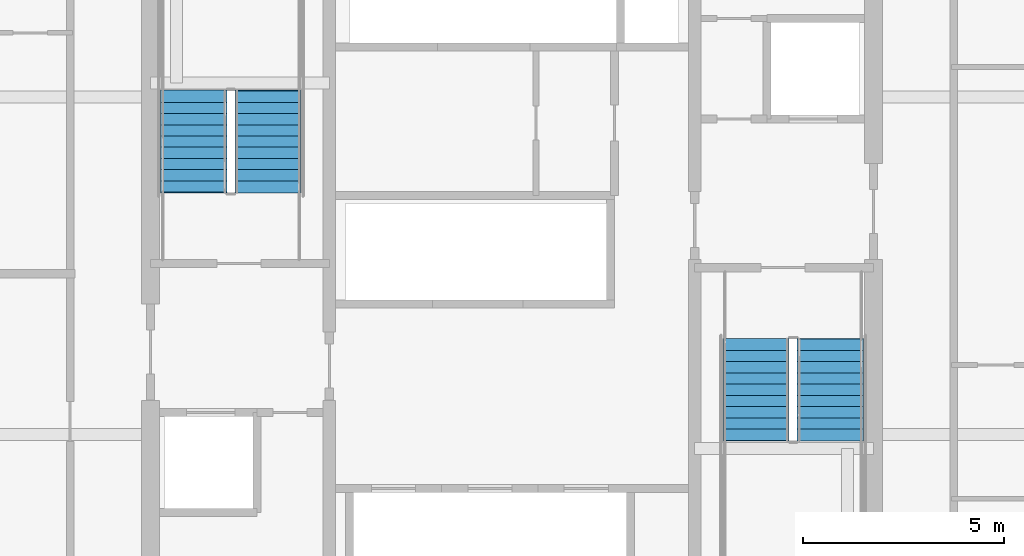
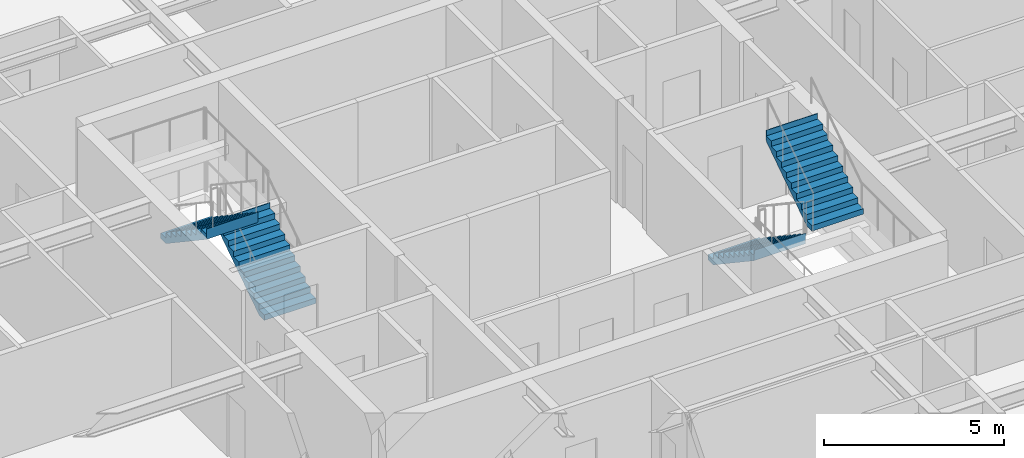
# One storey, part 33 of 39: 4 stair flights, 2 elements without a shape of their own.
"""IFC4 building model written with IfcOpenShell, lengths in metres."""

import ifcopenshell
import ifcopenshell.guid

model = None  # the IFC model being written
_history = None  # IfcOwnerHistory: only IFC2X3 demands one
_inside = {}  # id of a spatial element -> (the spatial element, [elements in it])
_under = {}  # id of a project, library or spatial element -> (it, [spatial elements below it])
_declared = {}  # id of a project -> (the project, [libraries it declares])
_typed = {}  # id of a type object -> (the type object, [elements of that type])
_made_of = {}  # id of a material, layer set ... -> (it, [elements and type objects made of it])


def new_model(schema):
    """Start an empty IFC model of exactly this schema.

    Asked for "IFC4X3", IfcOpenShell would pick the latest addendum, in which some entities
    have other attributes; the version numbers below select the first issue.
    IFC2X3 requires an IfcOwnerHistory on every rooted entity: one is made here for all.
    """
    global model, _history
    if schema == "IFC4X3":
        model = ifcopenshell.file(schema_version=(4, 3, 0, 0))
    else:
        model = ifcopenshell.file(schema=schema)
    _inside.clear()
    _under.clear()
    _declared.clear()
    _typed.clear()
    _made_of.clear()
    _history = None
    if model.schema == "IFC2X3":
        org = make("IfcOrganization", Name="unknown")
        user = make(
            "IfcPersonAndOrganization",
            ThePerson=make("IfcPerson", FamilyName="unknown"),
            TheOrganization=org,
        )
        app = make(
            "IfcApplication",
            ApplicationDeveloper=org,
            Version="unknown",
            ApplicationFullName="unknown",
            ApplicationIdentifier="unknown",
        )
        _history = make(
            "IfcOwnerHistory",
            OwningUser=user,
            OwningApplication=app,
            ChangeAction="ADDED",
            CreationDate=0,
        )
    return model


def make(cls, **values):
    """One entity of the class cls with the attributes given. An attribute that is None is left unset."""
    return model.create_entity(
        cls, **{name: value for name, value in values.items() if value is not None}
    )


def rooted(cls, **values):
    """An entity with a GlobalId (a new one), such as an element, a storey or a relation."""
    return make(cls, GlobalId=ifcopenshell.guid.new(), OwnerHistory=_history, **values)


def si_unit(unit_type, name, prefix=None):
    """IfcSIUnit, for example si_unit("LENGTHUNIT", "METRE", prefix="MILLI")."""
    return make("IfcSIUnit", UnitType=unit_type, Prefix=prefix, Name=name)


def assignment(units):
    """IfcUnitAssignment: the units of a project."""
    return None if units is None else make("IfcUnitAssignment", Units=units)


def point(xyz):
    """IfcCartesianPoint."""
    return None if xyz is None else make("IfcCartesianPoint", Coordinates=xyz)


def direction(xyz):
    """IfcDirection."""
    return None if xyz is None else make("IfcDirection", DirectionRatios=xyz)


def frame(location, z_axis=None, x_axis=None):
    """IfcAxis2Placement3D, a coordinate frame: its origin and axes. An axis left out is left unset."""
    return make(
        "IfcAxis2Placement3D",
        Location=point(location),
        Axis=direction(z_axis),
        RefDirection=direction(x_axis),
    )


def origin():
    """The frame at (0, 0, 0) with its axes left unset."""
    return frame((0.0, 0.0, 0.0))


def place(relative_to, where):
    """IfcLocalPlacement: puts the frame where relative to a parent placement (None: the world)."""
    return make(
        "IfcLocalPlacement", PlacementRelTo=relative_to, RelativePlacement=where
    )


def context(
    kind, dimensions, precision=None, world=None, true_north=None, identifier=None
):
    """IfcGeometricRepresentationContext, for example the 3D "Model" context."""
    return make(
        "IfcGeometricRepresentationContext",
        ContextIdentifier=identifier,
        ContextType=kind,
        CoordinateSpaceDimension=dimensions,
        Precision=precision,
        WorldCoordinateSystem=world,
        TrueNorth=true_north,
    )


def subcontext(parent, identifier, kind, view, scale=None):
    """IfcGeometricRepresentationSubContext, for example "Body" below "Model"."""
    return make(
        "IfcGeometricRepresentationSubContext",
        ContextIdentifier=identifier,
        ContextType=kind,
        ParentContext=parent,
        TargetScale=scale,
        TargetView=view,
    )


def project(units=None, contexts=None):
    """IfcProject with its units and contexts."""
    return rooted(
        "IfcProject",
        Name="project",
        RepresentationContexts=contexts,
        UnitsInContext=assignment(units),
    )


def spatial(cls, under=None, at=None, **own):
    """A site, building, storey or space (cls), placed at a placement, below another one or the project."""
    s = rooted(cls, ObjectPlacement=at, **own)
    if under is not None:
        _under.setdefault(under.id(), (under, []))[1].append(s)
    return s


def point_list(points):
    """IfcCartesianPointList2D or 3D."""
    cls = (
        "IfcCartesianPointList2D" if len(points[0]) == 2 else "IfcCartesianPointList3D"
    )
    return make(cls, CoordList=points)


def polygons(points, faces, closed=None, point_numbers=None):
    """IfcPolygonalFaceSet: a face is its outer loop, then its inner loops; points numbered from 1."""
    made = []
    for loops in faces:
        if len(loops) == 1:
            made.append(make("IfcIndexedPolygonalFace", CoordIndex=loops[0]))
        else:
            made.append(
                make(
                    "IfcIndexedPolygonalFaceWithVoids",
                    CoordIndex=loops[0],
                    InnerCoordIndices=loops[1:],
                )
            )
    return make(
        "IfcPolygonalFaceSet",
        Coordinates=point_list(points),
        Closed=closed,
        Faces=made,
        PnIndex=point_numbers,
    )


def shape(context_of_items, identifier, shape_type, items):
    """IfcShapeRepresentation: the items that make up one representation, for example the "Body"."""
    return make(
        "IfcShapeRepresentation",
        ContextOfItems=context_of_items,
        RepresentationIdentifier=identifier,
        RepresentationType=shape_type,
        Items=items,
    )


def material(Name=None, Category=None):
    """IfcMaterial."""
    return make("IfcMaterial", Name=Name, Category=Category)


def made_of(thing, what):
    """Note that an element or type object is made of a material, layer set ...; save() writes the relation."""
    if what is not None:
        _made_of.setdefault(what.id(), (what, []))[1].append(thing)
    return thing


def type_object(cls, material=None, **own):
    """A type object (cls), such as IfcWallType, which elements share."""
    return made_of(rooted(cls, **own), material)


def element(
    cls,
    number,
    at=None,
    inside=None,
    cuts=None,
    type_object=None,
    material=None,
    context=None,
    identifier="Body",
    shape_type=None,
    held_by="IfcProductDefinitionShape",
    body=None,
    shapes=None,
    **own,
):
    """One element of the class cls, such as IfcWall. Its Tag is "e" and its number.

    at: its placement. inside: the storey or other place that contains it. cuts: it is an
    opening in that element (IfcRelVoidsElement). A single representation is given by context,
    identifier, shape_type and body (its items); several are given by shapes. held_by: the class
    of the entity that holds the representations. save() writes the other relations.
    """
    e = rooted(cls, Tag="e%d" % number, ObjectPlacement=at, **own)
    if body is not None:
        shapes = [shape(context, identifier, shape_type, body)]
    if shapes is not None:
        e.Representation = make(held_by, Representations=shapes)
    if inside is not None:
        _inside.setdefault(inside.id(), (inside, []))[1].append(e)
    if cuts is not None:
        rooted(
            "IfcRelVoidsElement", RelatingBuildingElement=cuts, RelatedOpeningElement=e
        )
    if type_object is not None:
        _typed.setdefault(type_object.id(), (type_object, []))[1].append(e)
    return made_of(e, material)


def aggregate(whole, parts):
    """IfcRelAggregates: a whole, such as a stair, and the parts it consists of."""
    return rooted("IfcRelAggregates", RelatingObject=whole, RelatedObjects=parts)


def save(model, path):
    """Write the relations noted so far, then the file.

    IfcRelAggregates (storeys below a building ...), IfcRelContainedInSpatialStructure (elements
    in a storey), IfcRelDefinesByType, IfcRelAssociatesMaterial and IfcRelDeclares: one each for
    every whole, place, type object, material and project.
    """
    for whole, parts in _under.values():
        aggregate(whole, parts)
    for where, things in _inside.values():
        rooted(
            "IfcRelContainedInSpatialStructure",
            RelatedElements=things,
            RelatingStructure=where,
        )
    for kind, things in _typed.values():
        rooted("IfcRelDefinesByType", RelatedObjects=things, RelatingType=kind)
    for what, things in _made_of.values():
        rooted("IfcRelAssociatesMaterial", RelatedObjects=things, RelatingMaterial=what)
    for by, libraries in _declared.values():
        rooted("IfcRelDeclares", RelatingContext=by, RelatedDefinitions=libraries)
    model.write(path)


model = new_model("IFC4")

# Units and contexts
model_context = context("Model", 3, precision=1e-05, world=origin(), true_north=direction((0.0, 1.0)))
body_context = subcontext(model_context, "Body", "Model", "MODEL_VIEW")
ifc_project = project(units=[si_unit("LENGTHUNIT", "METRE"), si_unit("AREAUNIT", "SQUARE_METRE"), si_unit("VOLUMEUNIT", "CUBIC_METRE"), si_unit("PLANEANGLEUNIT", "RADIAN"), si_unit("MASSUNIT", "GRAM", prefix="KILO")], contexts=[model_context])

# Site, building, storey
site_placement = place(None, origin())
site = spatial("IfcSite", under=ifc_project, at=site_placement, CompositionType="ELEMENT")
building_placement = place(site_placement, origin())
building = spatial("IfcBuilding", under=site, at=building_placement, Name="Serunith Strait Residences", CompositionType="ELEMENT")
storey_placement = place(building_placement, frame((0.0, 0.0, 64.199951171875)))
storey = spatial("IfcBuildingStorey", under=building, at=storey_placement, Name="L15", CompositionType="ELEMENT", Elevation=64.199951171875)

# Stair, stair flights
ifc_material = material(Name="Concrete C50/60", Category="concrete")
stair_type_1 = type_object("IfcStairType", Name="STR-CORE-1", PredefinedType="HALF_TURN_STAIR", material=ifc_material)
stair_1_placement = place(storey_placement, origin())
stair_1 = element("IfcStair", 1, at=stair_1_placement, inside=storey, type_object=stair_type_1, Name="L15 Protected Escape Stair ST-1", PredefinedType="HALF_TURN_STAIR")
stair_flight_type_1 = type_object("IfcStairFlightType", Name="FLT-CORE-1", PredefinedType="STRAIGHT", material=ifc_material)
stair_flight_1_placement = place(storey_placement, frame((26.324951171875, 27.030029296875, 0.0), z_axis=(0.0, 0.0, 1.0), x_axis=(0.0, 1.0, 0.0)))
stair_flight_1 = element("IfcStairFlight", 2, at=stair_flight_1_placement, type_object=stair_flight_type_1, Name="ST-1 flight 1", NumberOfRisers=10, NumberOfTreads=9, PredefinedType="STRAIGHT", RiserHeight=0.1875, TreadLength=0.28, context=body_context, shape_type="Tessellation", body=[
    polygons([(-0.02001953125, -0.824951171875, 0.0), (-0.02001953125, -0.824951171875, 0.1875), (0.280029296875, -0.824951171875, 0.1875), (0.280029296875, -0.824951171875, 0.375), (0.56005859375, -0.824951171875, 0.375), (0.56005859375, -0.824951171875, 0.5625), (0.840087890625, -0.824951171875, 0.5625), (0.840087890625, -0.824951171875, 0.75), (1.1201171875, -0.824951171875, 0.75), (1.1201171875, -0.824951171875, 0.9375), (1.39990234375, -0.824951171875, 0.9375), (1.39990234375, -0.824951171875, 1.125), (1.679931640625, -0.824951171875, 1.125), (1.679931640625, -0.824951171875, 1.3125), (1.9599609375, -0.824951171875, 1.3125), (1.9599609375, -0.824951171875, 1.5), (2.239990234375, -0.824951171875, 1.5), (2.239990234375, -0.824951171875, 1.6875), (2.52001953125, -0.824951171875, 1.6875), (2.52001953125, -0.824951171875, 1.875), (2.5400390625, -0.824951171875, 1.875), (2.5400390625, -0.824951171875, 1.81494140625), (2.52001953125, -0.824951171875, 1.507080078125), (0.26953125, -0.824951171875, 0.0), (-0.02001953125, -0.41259765625, 0.0), (-0.02001953125, -0.41259765625, 0.1875), (0.280029296875, -0.41259765625, 0.1875), (0.280029296875, -0.41259765625, 0.375), (0.56005859375, -0.41259765625, 0.375), (0.56005859375, -0.41259765625, 0.5625), (0.840087890625, -0.41259765625, 0.5625), (0.840087890625, -0.41259765625, 0.75), (1.1201171875, -0.41259765625, 0.75), (1.1201171875, -0.41259765625, 0.9375), (1.39990234375, -0.41259765625, 0.9375), (1.39990234375, -0.41259765625, 1.125), (1.679931640625, -0.41259765625, 1.125), (1.679931640625, -0.41259765625, 1.3125), (1.9599609375, -0.41259765625, 1.3125), (1.9599609375, -0.41259765625, 1.5), (2.239990234375, -0.41259765625, 1.5), (2.239990234375, -0.41259765625, 1.6875), (2.52001953125, -0.41259765625, 1.6875), (2.52001953125, -0.41259765625, 1.875), (2.5400390625, -0.41259765625, 1.875), (2.5400390625, -0.41259765625, 1.81494140625), (2.52001953125, -0.41259765625, 1.507080078125), (0.26953125, -0.41259765625, 0.0), (-0.02001953125, 0.0, 0.0), (-0.02001953125, 0.0, 0.1875), (0.280029296875, 0.0, 0.1875), (0.280029296875, 0.0, 0.375), (0.56005859375, 0.0, 0.375), (0.56005859375, 0.0, 0.5625), (0.840087890625, 0.0, 0.5625), (0.840087890625, 0.0, 0.75), (1.1201171875, 0.0, 0.75), (1.1201171875, 0.0, 0.9375), (1.39990234375, 0.0, 0.9375), (1.39990234375, 0.0, 1.125), (1.679931640625, 0.0, 1.125), (1.679931640625, 0.0, 1.3125), (1.9599609375, 0.0, 1.3125), (1.9599609375, 0.0, 1.5), (2.239990234375, 0.0, 1.5), (2.239990234375, 0.0, 1.6875), (2.52001953125, 0.0, 1.6875), (2.52001953125, 0.0, 1.875), (2.5400390625, 0.0, 1.875), (2.5400390625, 0.0, 1.81494140625), (2.52001953125, 0.0, 1.507080078125), (0.26953125, 0.0, 0.0), (-0.02001953125, 0.41259765625, 0.0), (-0.02001953125, 0.41259765625, 0.1875), (0.280029296875, 0.41259765625, 0.1875), (0.280029296875, 0.41259765625, 0.375), (0.56005859375, 0.41259765625, 0.375), (0.56005859375, 0.41259765625, 0.5625), (0.840087890625, 0.41259765625, 0.5625), (0.840087890625, 0.41259765625, 0.75), (1.1201171875, 0.41259765625, 0.75), (1.1201171875, 0.41259765625, 0.9375), (1.39990234375, 0.41259765625, 0.9375), (1.39990234375, 0.41259765625, 1.125), (1.679931640625, 0.41259765625, 1.125), (1.679931640625, 0.41259765625, 1.3125), (1.9599609375, 0.41259765625, 1.3125), (1.9599609375, 0.41259765625, 1.5), (2.239990234375, 0.41259765625, 1.5), (2.239990234375, 0.41259765625, 1.6875), (2.52001953125, 0.41259765625, 1.6875), (2.52001953125, 0.41259765625, 1.875), (2.5400390625, 0.41259765625, 1.875), (2.5400390625, 0.41259765625, 1.81494140625), (2.52001953125, 0.41259765625, 1.507080078125), (0.26953125, 0.41259765625, 0.0), (-0.02001953125, 0.824951171875, 0.0), (-0.02001953125, 0.824951171875, 0.1875), (0.280029296875, 0.824951171875, 0.1875), (0.280029296875, 0.824951171875, 0.375), (0.56005859375, 0.824951171875, 0.375), (0.56005859375, 0.824951171875, 0.5625), (0.840087890625, 0.824951171875, 0.5625), (0.840087890625, 0.824951171875, 0.75), (1.1201171875, 0.824951171875, 0.75), (1.1201171875, 0.824951171875, 0.9375), (1.39990234375, 0.824951171875, 0.9375), (1.39990234375, 0.824951171875, 1.125), (1.679931640625, 0.824951171875, 1.125), (1.679931640625, 0.824951171875, 1.3125), (1.9599609375, 0.824951171875, 1.3125), (1.9599609375, 0.824951171875, 1.5), (2.239990234375, 0.824951171875, 1.5), (2.239990234375, 0.824951171875, 1.6875), (2.52001953125, 0.824951171875, 1.6875), (2.52001953125, 0.824951171875, 1.875), (2.5400390625, 0.824951171875, 1.875), (2.5400390625, 0.824951171875, 1.81494140625), (2.52001953125, 0.824951171875, 1.507080078125), (0.26953125, 0.824951171875, 0.0)], [[[1, 2, 26, 25]], [[2, 3, 27, 26]], [[3, 4, 28, 27]], [[4, 5, 29, 28]], [[5, 6, 30, 29]], [[6, 7, 31, 30]], [[7, 8, 32, 31]], [[8, 9, 33, 32]], [[9, 10, 34, 33]], [[10, 11, 35, 34]], [[11, 12, 36, 35]], [[12, 13, 37, 36]], [[13, 14, 38, 37]], [[14, 15, 39, 38]], [[15, 16, 40, 39]], [[16, 17, 41, 40]], [[17, 18, 42, 41]], [[18, 19, 43, 42]], [[19, 20, 44, 43]], [[20, 21, 45, 44]], [[21, 22, 46, 45]], [[22, 23, 47, 46]], [[23, 24, 48, 47]], [[24, 1, 25, 48]], [[25, 26, 50, 49]], [[26, 27, 51, 50]], [[27, 28, 52, 51]], [[28, 29, 53, 52]], [[29, 30, 54, 53]], [[30, 31, 55, 54]], [[31, 32, 56, 55]], [[32, 33, 57, 56]], [[33, 34, 58, 57]], [[34, 35, 59, 58]], [[35, 36, 60, 59]], [[36, 37, 61, 60]], [[37, 38, 62, 61]], [[38, 39, 63, 62]], [[39, 40, 64, 63]], [[40, 41, 65, 64]], [[41, 42, 66, 65]], [[42, 43, 67, 66]], [[43, 44, 68, 67]], [[44, 45, 69, 68]], [[45, 46, 70, 69]], [[46, 47, 71, 70]], [[47, 48, 72, 71]], [[48, 25, 49, 72]], [[49, 50, 74, 73]], [[50, 51, 75, 74]], [[51, 52, 76, 75]], [[52, 53, 77, 76]], [[53, 54, 78, 77]], [[54, 55, 79, 78]], [[55, 56, 80, 79]], [[56, 57, 81, 80]], [[57, 58, 82, 81]], [[58, 59, 83, 82]], [[59, 60, 84, 83]], [[60, 61, 85, 84]], [[61, 62, 86, 85]], [[62, 63, 87, 86]], [[63, 64, 88, 87]], [[64, 65, 89, 88]], [[65, 66, 90, 89]], [[66, 67, 91, 90]], [[67, 68, 92, 91]], [[68, 69, 93, 92]], [[69, 70, 94, 93]], [[70, 71, 95, 94]], [[71, 72, 96, 95]], [[72, 49, 73, 96]], [[73, 74, 98, 97]], [[74, 75, 99, 98]], [[75, 76, 100, 99]], [[76, 77, 101, 100]], [[77, 78, 102, 101]], [[78, 79, 103, 102]], [[79, 80, 104, 103]], [[80, 81, 105, 104]], [[81, 82, 106, 105]], [[82, 83, 107, 106]], [[83, 84, 108, 107]], [[84, 85, 109, 108]], [[85, 86, 110, 109]], [[86, 87, 111, 110]], [[87, 88, 112, 111]], [[88, 89, 113, 112]], [[89, 90, 114, 113]], [[90, 91, 115, 114]], [[91, 92, 116, 115]], [[92, 93, 117, 116]], [[93, 94, 118, 117]], [[94, 95, 119, 118]], [[95, 96, 120, 119]], [[96, 73, 97, 120]], [[24, 23, 22, 21, 20, 19, 18, 17, 16, 15, 14, 13, 12, 11, 10, 9, 8, 7, 6, 5, 4, 3, 2, 1]], [[97, 98, 99, 100, 101, 102, 103, 104, 105, 106, 107, 108, 109, 110, 111, 112, 113, 114, 115, 116, 117, 118, 119, 120]]], closed=True),
])
stair_flight_2_placement = place(storey_placement, frame((24.47509765625, 29.550048828125, 1.875), z_axis=(0.0, 0.0, 1.0), x_axis=(0.0, -1.0, 0.0)))
stair_flight_2 = element("IfcStairFlight", 3, at=stair_flight_2_placement, type_object=stair_flight_type_1, Name="ST-1 flight 2", NumberOfRisers=10, NumberOfTreads=9, PredefinedType="STRAIGHT", RiserHeight=0.1875, TreadLength=0.28, context=body_context, shape_type="Tessellation", body=[
    polygons([(-0.02001953125, -0.824951171875, 0.0), (-0.02001953125, -0.824951171875, 0.1875), (0.280029296875, -0.824951171875, 0.1875), (0.280029296875, -0.824951171875, 0.375), (0.56005859375, -0.824951171875, 0.375), (0.56005859375, -0.824951171875, 0.5625), (0.840087890625, -0.824951171875, 0.5625), (0.840087890625, -0.824951171875, 0.75), (1.1201171875, -0.824951171875, 0.75), (1.1201171875, -0.824951171875, 0.9375), (1.39990234375, -0.824951171875, 0.9375), (1.39990234375, -0.824951171875, 1.125), (1.679931640625, -0.824951171875, 1.125), (1.679931640625, -0.824951171875, 1.3125), (1.9599609375, -0.824951171875, 1.3125), (1.9599609375, -0.824951171875, 1.5), (2.239990234375, -0.824951171875, 1.5), (2.239990234375, -0.824951171875, 1.6875), (2.52001953125, -0.824951171875, 1.6875), (2.52001953125, -0.824951171875, 1.875), (2.5400390625, -0.824951171875, 1.875), (2.5400390625, -0.824951171875, 1.81494140625), (2.52001953125, -0.824951171875, 1.507080078125), (0.26953125, -0.824951171875, 0.0), (-0.02001953125, -0.41259765625, 0.0), (-0.02001953125, -0.41259765625, 0.1875), (0.280029296875, -0.41259765625, 0.1875), (0.280029296875, -0.41259765625, 0.375), (0.56005859375, -0.41259765625, 0.375), (0.56005859375, -0.41259765625, 0.5625), (0.840087890625, -0.41259765625, 0.5625), (0.840087890625, -0.41259765625, 0.75), (1.1201171875, -0.41259765625, 0.75), (1.1201171875, -0.41259765625, 0.9375), (1.39990234375, -0.41259765625, 0.9375), (1.39990234375, -0.41259765625, 1.125), (1.679931640625, -0.41259765625, 1.125), (1.679931640625, -0.41259765625, 1.3125), (1.9599609375, -0.41259765625, 1.3125), (1.9599609375, -0.41259765625, 1.5), (2.239990234375, -0.41259765625, 1.5), (2.239990234375, -0.41259765625, 1.6875), (2.52001953125, -0.41259765625, 1.6875), (2.52001953125, -0.41259765625, 1.875), (2.5400390625, -0.41259765625, 1.875), (2.5400390625, -0.41259765625, 1.81494140625), (2.52001953125, -0.41259765625, 1.507080078125), (0.26953125, -0.41259765625, 0.0), (-0.02001953125, 0.0, 0.0), (-0.02001953125, 0.0, 0.1875), (0.280029296875, 0.0, 0.1875), (0.280029296875, 0.0, 0.375), (0.56005859375, 0.0, 0.375), (0.56005859375, 0.0, 0.5625), (0.840087890625, 0.0, 0.5625), (0.840087890625, 0.0, 0.75), (1.1201171875, 0.0, 0.75), (1.1201171875, 0.0, 0.9375), (1.39990234375, 0.0, 0.9375), (1.39990234375, 0.0, 1.125), (1.679931640625, 0.0, 1.125), (1.679931640625, 0.0, 1.3125), (1.9599609375, 0.0, 1.3125), (1.9599609375, 0.0, 1.5), (2.239990234375, 0.0, 1.5), (2.239990234375, 0.0, 1.6875), (2.52001953125, 0.0, 1.6875), (2.52001953125, 0.0, 1.875), (2.5400390625, 0.0, 1.875), (2.5400390625, 0.0, 1.81494140625), (2.52001953125, 0.0, 1.507080078125), (0.26953125, 0.0, 0.0), (-0.02001953125, 0.41259765625, 0.0), (-0.02001953125, 0.41259765625, 0.1875), (0.280029296875, 0.41259765625, 0.1875), (0.280029296875, 0.41259765625, 0.375), (0.56005859375, 0.41259765625, 0.375), (0.56005859375, 0.41259765625, 0.5625), (0.840087890625, 0.41259765625, 0.5625), (0.840087890625, 0.41259765625, 0.75), (1.1201171875, 0.41259765625, 0.75), (1.1201171875, 0.41259765625, 0.9375), (1.39990234375, 0.41259765625, 0.9375), (1.39990234375, 0.41259765625, 1.125), (1.679931640625, 0.41259765625, 1.125), (1.679931640625, 0.41259765625, 1.3125), (1.9599609375, 0.41259765625, 1.3125), (1.9599609375, 0.41259765625, 1.5), (2.239990234375, 0.41259765625, 1.5), (2.239990234375, 0.41259765625, 1.6875), (2.52001953125, 0.41259765625, 1.6875), (2.52001953125, 0.41259765625, 1.875), (2.5400390625, 0.41259765625, 1.875), (2.5400390625, 0.41259765625, 1.81494140625), (2.52001953125, 0.41259765625, 1.507080078125), (0.26953125, 0.41259765625, 0.0), (-0.02001953125, 0.824951171875, 0.0), (-0.02001953125, 0.824951171875, 0.1875), (0.280029296875, 0.824951171875, 0.1875), (0.280029296875, 0.824951171875, 0.375), (0.56005859375, 0.824951171875, 0.375), (0.56005859375, 0.824951171875, 0.5625), (0.840087890625, 0.824951171875, 0.5625), (0.840087890625, 0.824951171875, 0.75), (1.1201171875, 0.824951171875, 0.75), (1.1201171875, 0.824951171875, 0.9375), (1.39990234375, 0.824951171875, 0.9375), (1.39990234375, 0.824951171875, 1.125), (1.679931640625, 0.824951171875, 1.125), (1.679931640625, 0.824951171875, 1.3125), (1.9599609375, 0.824951171875, 1.3125), (1.9599609375, 0.824951171875, 1.5), (2.239990234375, 0.824951171875, 1.5), (2.239990234375, 0.824951171875, 1.6875), (2.52001953125, 0.824951171875, 1.6875), (2.52001953125, 0.824951171875, 1.875), (2.5400390625, 0.824951171875, 1.875), (2.5400390625, 0.824951171875, 1.81494140625), (2.52001953125, 0.824951171875, 1.507080078125), (0.26953125, 0.824951171875, 0.0)], [[[1, 2, 26, 25]], [[2, 3, 27, 26]], [[3, 4, 28, 27]], [[4, 5, 29, 28]], [[5, 6, 30, 29]], [[6, 7, 31, 30]], [[7, 8, 32, 31]], [[8, 9, 33, 32]], [[9, 10, 34, 33]], [[10, 11, 35, 34]], [[11, 12, 36, 35]], [[12, 13, 37, 36]], [[13, 14, 38, 37]], [[14, 15, 39, 38]], [[15, 16, 40, 39]], [[16, 17, 41, 40]], [[17, 18, 42, 41]], [[18, 19, 43, 42]], [[19, 20, 44, 43]], [[20, 21, 45, 44]], [[21, 22, 46, 45]], [[22, 23, 47, 46]], [[23, 24, 48, 47]], [[24, 1, 25, 48]], [[25, 26, 50, 49]], [[26, 27, 51, 50]], [[27, 28, 52, 51]], [[28, 29, 53, 52]], [[29, 30, 54, 53]], [[30, 31, 55, 54]], [[31, 32, 56, 55]], [[32, 33, 57, 56]], [[33, 34, 58, 57]], [[34, 35, 59, 58]], [[35, 36, 60, 59]], [[36, 37, 61, 60]], [[37, 38, 62, 61]], [[38, 39, 63, 62]], [[39, 40, 64, 63]], [[40, 41, 65, 64]], [[41, 42, 66, 65]], [[42, 43, 67, 66]], [[43, 44, 68, 67]], [[44, 45, 69, 68]], [[45, 46, 70, 69]], [[46, 47, 71, 70]], [[47, 48, 72, 71]], [[48, 25, 49, 72]], [[49, 50, 74, 73]], [[50, 51, 75, 74]], [[51, 52, 76, 75]], [[52, 53, 77, 76]], [[53, 54, 78, 77]], [[54, 55, 79, 78]], [[55, 56, 80, 79]], [[56, 57, 81, 80]], [[57, 58, 82, 81]], [[58, 59, 83, 82]], [[59, 60, 84, 83]], [[60, 61, 85, 84]], [[61, 62, 86, 85]], [[62, 63, 87, 86]], [[63, 64, 88, 87]], [[64, 65, 89, 88]], [[65, 66, 90, 89]], [[66, 67, 91, 90]], [[67, 68, 92, 91]], [[68, 69, 93, 92]], [[69, 70, 94, 93]], [[70, 71, 95, 94]], [[71, 72, 96, 95]], [[72, 49, 73, 96]], [[73, 74, 98, 97]], [[74, 75, 99, 98]], [[75, 76, 100, 99]], [[76, 77, 101, 100]], [[77, 78, 102, 101]], [[78, 79, 103, 102]], [[79, 80, 104, 103]], [[80, 81, 105, 104]], [[81, 82, 106, 105]], [[82, 83, 107, 106]], [[83, 84, 108, 107]], [[84, 85, 109, 108]], [[85, 86, 110, 109]], [[86, 87, 111, 110]], [[87, 88, 112, 111]], [[88, 89, 113, 112]], [[89, 90, 114, 113]], [[90, 91, 115, 114]], [[91, 92, 116, 115]], [[92, 93, 117, 116]], [[93, 94, 118, 117]], [[94, 95, 119, 118]], [[95, 96, 120, 119]], [[96, 73, 97, 120]], [[24, 23, 22, 21, 20, 19, 18, 17, 16, 15, 14, 13, 12, 11, 10, 9, 8, 7, 6, 5, 4, 3, 2, 1]], [[97, 98, 99, 100, 101, 102, 103, 104, 105, 106, 107, 108, 109, 110, 111, 112, 113, 114, 115, 116, 117, 118, 119, 120]]], closed=True),
])
aggregate(stair_1, [stair_flight_1, stair_flight_2])

stair_type_2 = type_object("IfcStairType", Name="STR-CORE-2", PredefinedType="HALF_TURN_STAIR", material=ifc_material)
stair_2_placement = place(storey_placement, origin())
stair_2 = element("IfcStair", 4, at=stair_2_placement, inside=storey, type_object=stair_type_2, Name="L15 Protected Escape Stair ST-2", PredefinedType="HALF_TURN_STAIR")
stair_flight_type_2 = type_object("IfcStairFlightType", Name="FLT-CORE-2", PredefinedType="STRAIGHT", material=ifc_material)
stair_flight_3_placement = place(storey_placement, frame((38.47509765625, 23.3701171875, 0.0), z_axis=(0.0, 0.0, 1.0), x_axis=(0.0, -1.0, 0.0)))
stair_flight_3 = element("IfcStairFlight", 5, at=stair_flight_3_placement, type_object=stair_flight_type_2, Name="ST-2 flight 1", NumberOfRisers=10, NumberOfTreads=9, PredefinedType="STRAIGHT", RiserHeight=0.1875, TreadLength=0.28, context=body_context, shape_type="Tessellation", body=[
    polygons([(-0.02001953125, -0.824951171875, 0.0), (-0.02001953125, -0.824951171875, 0.1875), (0.280029296875, -0.824951171875, 0.1875), (0.280029296875, -0.824951171875, 0.375), (0.56005859375, -0.824951171875, 0.375), (0.56005859375, -0.824951171875, 0.5625), (0.840087890625, -0.824951171875, 0.5625), (0.840087890625, -0.824951171875, 0.75), (1.1201171875, -0.824951171875, 0.75), (1.1201171875, -0.824951171875, 0.9375), (1.39990234375, -0.824951171875, 0.9375), (1.39990234375, -0.824951171875, 1.125), (1.679931640625, -0.824951171875, 1.125), (1.679931640625, -0.824951171875, 1.3125), (1.9599609375, -0.824951171875, 1.3125), (1.9599609375, -0.824951171875, 1.5), (2.239990234375, -0.824951171875, 1.5), (2.239990234375, -0.824951171875, 1.6875), (2.52001953125, -0.824951171875, 1.6875), (2.52001953125, -0.824951171875, 1.875), (2.5400390625, -0.824951171875, 1.875), (2.5400390625, -0.824951171875, 1.81494140625), (2.52001953125, -0.824951171875, 1.507080078125), (0.26953125, -0.824951171875, 0.0), (-0.02001953125, -0.41259765625, 0.0), (-0.02001953125, -0.41259765625, 0.1875), (0.280029296875, -0.41259765625, 0.1875), (0.280029296875, -0.41259765625, 0.375), (0.56005859375, -0.41259765625, 0.375), (0.56005859375, -0.41259765625, 0.5625), (0.840087890625, -0.41259765625, 0.5625), (0.840087890625, -0.41259765625, 0.75), (1.1201171875, -0.41259765625, 0.75), (1.1201171875, -0.41259765625, 0.9375), (1.39990234375, -0.41259765625, 0.9375), (1.39990234375, -0.41259765625, 1.125), (1.679931640625, -0.41259765625, 1.125), (1.679931640625, -0.41259765625, 1.3125), (1.9599609375, -0.41259765625, 1.3125), (1.9599609375, -0.41259765625, 1.5), (2.239990234375, -0.41259765625, 1.5), (2.239990234375, -0.41259765625, 1.6875), (2.52001953125, -0.41259765625, 1.6875), (2.52001953125, -0.41259765625, 1.875), (2.5400390625, -0.41259765625, 1.875), (2.5400390625, -0.41259765625, 1.81494140625), (2.52001953125, -0.41259765625, 1.507080078125), (0.26953125, -0.41259765625, 0.0), (-0.02001953125, 0.0, 0.0), (-0.02001953125, 0.0, 0.1875), (0.280029296875, 0.0, 0.1875), (0.280029296875, 0.0, 0.375), (0.56005859375, 0.0, 0.375), (0.56005859375, 0.0, 0.5625), (0.840087890625, 0.0, 0.5625), (0.840087890625, 0.0, 0.75), (1.1201171875, 0.0, 0.75), (1.1201171875, 0.0, 0.9375), (1.39990234375, 0.0, 0.9375), (1.39990234375, 0.0, 1.125), (1.679931640625, 0.0, 1.125), (1.679931640625, 0.0, 1.3125), (1.9599609375, 0.0, 1.3125), (1.9599609375, 0.0, 1.5), (2.239990234375, 0.0, 1.5), (2.239990234375, 0.0, 1.6875), (2.52001953125, 0.0, 1.6875), (2.52001953125, 0.0, 1.875), (2.5400390625, 0.0, 1.875), (2.5400390625, 0.0, 1.81494140625), (2.52001953125, 0.0, 1.507080078125), (0.26953125, 0.0, 0.0), (-0.02001953125, 0.41259765625, 0.0), (-0.02001953125, 0.41259765625, 0.1875), (0.280029296875, 0.41259765625, 0.1875), (0.280029296875, 0.41259765625, 0.375), (0.56005859375, 0.41259765625, 0.375), (0.56005859375, 0.41259765625, 0.5625), (0.840087890625, 0.41259765625, 0.5625), (0.840087890625, 0.41259765625, 0.75), (1.1201171875, 0.41259765625, 0.75), (1.1201171875, 0.41259765625, 0.9375), (1.39990234375, 0.41259765625, 0.9375), (1.39990234375, 0.41259765625, 1.125), (1.679931640625, 0.41259765625, 1.125), (1.679931640625, 0.41259765625, 1.3125), (1.9599609375, 0.41259765625, 1.3125), (1.9599609375, 0.41259765625, 1.5), (2.239990234375, 0.41259765625, 1.5), (2.239990234375, 0.41259765625, 1.6875), (2.52001953125, 0.41259765625, 1.6875), (2.52001953125, 0.41259765625, 1.875), (2.5400390625, 0.41259765625, 1.875), (2.5400390625, 0.41259765625, 1.81494140625), (2.52001953125, 0.41259765625, 1.507080078125), (0.26953125, 0.41259765625, 0.0), (-0.02001953125, 0.824951171875, 0.0), (-0.02001953125, 0.824951171875, 0.1875), (0.280029296875, 0.824951171875, 0.1875), (0.280029296875, 0.824951171875, 0.375), (0.56005859375, 0.824951171875, 0.375), (0.56005859375, 0.824951171875, 0.5625), (0.840087890625, 0.824951171875, 0.5625), (0.840087890625, 0.824951171875, 0.75), (1.1201171875, 0.824951171875, 0.75), (1.1201171875, 0.824951171875, 0.9375), (1.39990234375, 0.824951171875, 0.9375), (1.39990234375, 0.824951171875, 1.125), (1.679931640625, 0.824951171875, 1.125), (1.679931640625, 0.824951171875, 1.3125), (1.9599609375, 0.824951171875, 1.3125), (1.9599609375, 0.824951171875, 1.5), (2.239990234375, 0.824951171875, 1.5), (2.239990234375, 0.824951171875, 1.6875), (2.52001953125, 0.824951171875, 1.6875), (2.52001953125, 0.824951171875, 1.875), (2.5400390625, 0.824951171875, 1.875), (2.5400390625, 0.824951171875, 1.81494140625), (2.52001953125, 0.824951171875, 1.507080078125), (0.26953125, 0.824951171875, 0.0)], [[[1, 2, 26, 25]], [[2, 3, 27, 26]], [[3, 4, 28, 27]], [[4, 5, 29, 28]], [[5, 6, 30, 29]], [[6, 7, 31, 30]], [[7, 8, 32, 31]], [[8, 9, 33, 32]], [[9, 10, 34, 33]], [[10, 11, 35, 34]], [[11, 12, 36, 35]], [[12, 13, 37, 36]], [[13, 14, 38, 37]], [[14, 15, 39, 38]], [[15, 16, 40, 39]], [[16, 17, 41, 40]], [[17, 18, 42, 41]], [[18, 19, 43, 42]], [[19, 20, 44, 43]], [[20, 21, 45, 44]], [[21, 22, 46, 45]], [[22, 23, 47, 46]], [[23, 24, 48, 47]], [[24, 1, 25, 48]], [[25, 26, 50, 49]], [[26, 27, 51, 50]], [[27, 28, 52, 51]], [[28, 29, 53, 52]], [[29, 30, 54, 53]], [[30, 31, 55, 54]], [[31, 32, 56, 55]], [[32, 33, 57, 56]], [[33, 34, 58, 57]], [[34, 35, 59, 58]], [[35, 36, 60, 59]], [[36, 37, 61, 60]], [[37, 38, 62, 61]], [[38, 39, 63, 62]], [[39, 40, 64, 63]], [[40, 41, 65, 64]], [[41, 42, 66, 65]], [[42, 43, 67, 66]], [[43, 44, 68, 67]], [[44, 45, 69, 68]], [[45, 46, 70, 69]], [[46, 47, 71, 70]], [[47, 48, 72, 71]], [[48, 25, 49, 72]], [[49, 50, 74, 73]], [[50, 51, 75, 74]], [[51, 52, 76, 75]], [[52, 53, 77, 76]], [[53, 54, 78, 77]], [[54, 55, 79, 78]], [[55, 56, 80, 79]], [[56, 57, 81, 80]], [[57, 58, 82, 81]], [[58, 59, 83, 82]], [[59, 60, 84, 83]], [[60, 61, 85, 84]], [[61, 62, 86, 85]], [[62, 63, 87, 86]], [[63, 64, 88, 87]], [[64, 65, 89, 88]], [[65, 66, 90, 89]], [[66, 67, 91, 90]], [[67, 68, 92, 91]], [[68, 69, 93, 92]], [[69, 70, 94, 93]], [[70, 71, 95, 94]], [[71, 72, 96, 95]], [[72, 49, 73, 96]], [[73, 74, 98, 97]], [[74, 75, 99, 98]], [[75, 76, 100, 99]], [[76, 77, 101, 100]], [[77, 78, 102, 101]], [[78, 79, 103, 102]], [[79, 80, 104, 103]], [[80, 81, 105, 104]], [[81, 82, 106, 105]], [[82, 83, 107, 106]], [[83, 84, 108, 107]], [[84, 85, 109, 108]], [[85, 86, 110, 109]], [[86, 87, 111, 110]], [[87, 88, 112, 111]], [[88, 89, 113, 112]], [[89, 90, 114, 113]], [[90, 91, 115, 114]], [[91, 92, 116, 115]], [[92, 93, 117, 116]], [[93, 94, 118, 117]], [[94, 95, 119, 118]], [[95, 96, 120, 119]], [[96, 73, 97, 120]], [[24, 23, 22, 21, 20, 19, 18, 17, 16, 15, 14, 13, 12, 11, 10, 9, 8, 7, 6, 5, 4, 3, 2, 1]], [[97, 98, 99, 100, 101, 102, 103, 104, 105, 106, 107, 108, 109, 110, 111, 112, 113, 114, 115, 116, 117, 118, 119, 120]]], closed=True),
])
stair_flight_4_placement = place(storey_placement, frame((40.324951171875, 20.85009765625, 1.875), z_axis=(0.0, 0.0, 1.0), x_axis=(0.0, 1.0, 0.0)))
stair_flight_4 = element("IfcStairFlight", 6, at=stair_flight_4_placement, type_object=stair_flight_type_2, Name="ST-2 flight 2", NumberOfRisers=10, NumberOfTreads=9, PredefinedType="STRAIGHT", RiserHeight=0.1875, TreadLength=0.28, context=body_context, shape_type="Tessellation", body=[
    polygons([(-0.02001953125, -0.824951171875, 0.0), (-0.02001953125, -0.824951171875, 0.1875), (0.280029296875, -0.824951171875, 0.1875), (0.280029296875, -0.824951171875, 0.375), (0.56005859375, -0.824951171875, 0.375), (0.56005859375, -0.824951171875, 0.5625), (0.840087890625, -0.824951171875, 0.5625), (0.840087890625, -0.824951171875, 0.75), (1.1201171875, -0.824951171875, 0.75), (1.1201171875, -0.824951171875, 0.9375), (1.39990234375, -0.824951171875, 0.9375), (1.39990234375, -0.824951171875, 1.125), (1.679931640625, -0.824951171875, 1.125), (1.679931640625, -0.824951171875, 1.3125), (1.9599609375, -0.824951171875, 1.3125), (1.9599609375, -0.824951171875, 1.5), (2.239990234375, -0.824951171875, 1.5), (2.239990234375, -0.824951171875, 1.6875), (2.52001953125, -0.824951171875, 1.6875), (2.52001953125, -0.824951171875, 1.875), (2.5400390625, -0.824951171875, 1.875), (2.5400390625, -0.824951171875, 1.81494140625), (2.52001953125, -0.824951171875, 1.507080078125), (0.26953125, -0.824951171875, 0.0), (-0.02001953125, -0.41259765625, 0.0), (-0.02001953125, -0.41259765625, 0.1875), (0.280029296875, -0.41259765625, 0.1875), (0.280029296875, -0.41259765625, 0.375), (0.56005859375, -0.41259765625, 0.375), (0.56005859375, -0.41259765625, 0.5625), (0.840087890625, -0.41259765625, 0.5625), (0.840087890625, -0.41259765625, 0.75), (1.1201171875, -0.41259765625, 0.75), (1.1201171875, -0.41259765625, 0.9375), (1.39990234375, -0.41259765625, 0.9375), (1.39990234375, -0.41259765625, 1.125), (1.679931640625, -0.41259765625, 1.125), (1.679931640625, -0.41259765625, 1.3125), (1.9599609375, -0.41259765625, 1.3125), (1.9599609375, -0.41259765625, 1.5), (2.239990234375, -0.41259765625, 1.5), (2.239990234375, -0.41259765625, 1.6875), (2.52001953125, -0.41259765625, 1.6875), (2.52001953125, -0.41259765625, 1.875), (2.5400390625, -0.41259765625, 1.875), (2.5400390625, -0.41259765625, 1.81494140625), (2.52001953125, -0.41259765625, 1.507080078125), (0.26953125, -0.41259765625, 0.0), (-0.02001953125, 0.0, 0.0), (-0.02001953125, 0.0, 0.1875), (0.280029296875, 0.0, 0.1875), (0.280029296875, 0.0, 0.375), (0.56005859375, 0.0, 0.375), (0.56005859375, 0.0, 0.5625), (0.840087890625, 0.0, 0.5625), (0.840087890625, 0.0, 0.75), (1.1201171875, 0.0, 0.75), (1.1201171875, 0.0, 0.9375), (1.39990234375, 0.0, 0.9375), (1.39990234375, 0.0, 1.125), (1.679931640625, 0.0, 1.125), (1.679931640625, 0.0, 1.3125), (1.9599609375, 0.0, 1.3125), (1.9599609375, 0.0, 1.5), (2.239990234375, 0.0, 1.5), (2.239990234375, 0.0, 1.6875), (2.52001953125, 0.0, 1.6875), (2.52001953125, 0.0, 1.875), (2.5400390625, 0.0, 1.875), (2.5400390625, 0.0, 1.81494140625), (2.52001953125, 0.0, 1.507080078125), (0.26953125, 0.0, 0.0), (-0.02001953125, 0.41259765625, 0.0), (-0.02001953125, 0.41259765625, 0.1875), (0.280029296875, 0.41259765625, 0.1875), (0.280029296875, 0.41259765625, 0.375), (0.56005859375, 0.41259765625, 0.375), (0.56005859375, 0.41259765625, 0.5625), (0.840087890625, 0.41259765625, 0.5625), (0.840087890625, 0.41259765625, 0.75), (1.1201171875, 0.41259765625, 0.75), (1.1201171875, 0.41259765625, 0.9375), (1.39990234375, 0.41259765625, 0.9375), (1.39990234375, 0.41259765625, 1.125), (1.679931640625, 0.41259765625, 1.125), (1.679931640625, 0.41259765625, 1.3125), (1.9599609375, 0.41259765625, 1.3125), (1.9599609375, 0.41259765625, 1.5), (2.239990234375, 0.41259765625, 1.5), (2.239990234375, 0.41259765625, 1.6875), (2.52001953125, 0.41259765625, 1.6875), (2.52001953125, 0.41259765625, 1.875), (2.5400390625, 0.41259765625, 1.875), (2.5400390625, 0.41259765625, 1.81494140625), (2.52001953125, 0.41259765625, 1.507080078125), (0.26953125, 0.41259765625, 0.0), (-0.02001953125, 0.824951171875, 0.0), (-0.02001953125, 0.824951171875, 0.1875), (0.280029296875, 0.824951171875, 0.1875), (0.280029296875, 0.824951171875, 0.375), (0.56005859375, 0.824951171875, 0.375), (0.56005859375, 0.824951171875, 0.5625), (0.840087890625, 0.824951171875, 0.5625), (0.840087890625, 0.824951171875, 0.75), (1.1201171875, 0.824951171875, 0.75), (1.1201171875, 0.824951171875, 0.9375), (1.39990234375, 0.824951171875, 0.9375), (1.39990234375, 0.824951171875, 1.125), (1.679931640625, 0.824951171875, 1.125), (1.679931640625, 0.824951171875, 1.3125), (1.9599609375, 0.824951171875, 1.3125), (1.9599609375, 0.824951171875, 1.5), (2.239990234375, 0.824951171875, 1.5), (2.239990234375, 0.824951171875, 1.6875), (2.52001953125, 0.824951171875, 1.6875), (2.52001953125, 0.824951171875, 1.875), (2.5400390625, 0.824951171875, 1.875), (2.5400390625, 0.824951171875, 1.81494140625), (2.52001953125, 0.824951171875, 1.507080078125), (0.26953125, 0.824951171875, 0.0)], [[[1, 2, 26, 25]], [[2, 3, 27, 26]], [[3, 4, 28, 27]], [[4, 5, 29, 28]], [[5, 6, 30, 29]], [[6, 7, 31, 30]], [[7, 8, 32, 31]], [[8, 9, 33, 32]], [[9, 10, 34, 33]], [[10, 11, 35, 34]], [[11, 12, 36, 35]], [[12, 13, 37, 36]], [[13, 14, 38, 37]], [[14, 15, 39, 38]], [[15, 16, 40, 39]], [[16, 17, 41, 40]], [[17, 18, 42, 41]], [[18, 19, 43, 42]], [[19, 20, 44, 43]], [[20, 21, 45, 44]], [[21, 22, 46, 45]], [[22, 23, 47, 46]], [[23, 24, 48, 47]], [[24, 1, 25, 48]], [[25, 26, 50, 49]], [[26, 27, 51, 50]], [[27, 28, 52, 51]], [[28, 29, 53, 52]], [[29, 30, 54, 53]], [[30, 31, 55, 54]], [[31, 32, 56, 55]], [[32, 33, 57, 56]], [[33, 34, 58, 57]], [[34, 35, 59, 58]], [[35, 36, 60, 59]], [[36, 37, 61, 60]], [[37, 38, 62, 61]], [[38, 39, 63, 62]], [[39, 40, 64, 63]], [[40, 41, 65, 64]], [[41, 42, 66, 65]], [[42, 43, 67, 66]], [[43, 44, 68, 67]], [[44, 45, 69, 68]], [[45, 46, 70, 69]], [[46, 47, 71, 70]], [[47, 48, 72, 71]], [[48, 25, 49, 72]], [[49, 50, 74, 73]], [[50, 51, 75, 74]], [[51, 52, 76, 75]], [[52, 53, 77, 76]], [[53, 54, 78, 77]], [[54, 55, 79, 78]], [[55, 56, 80, 79]], [[56, 57, 81, 80]], [[57, 58, 82, 81]], [[58, 59, 83, 82]], [[59, 60, 84, 83]], [[60, 61, 85, 84]], [[61, 62, 86, 85]], [[62, 63, 87, 86]], [[63, 64, 88, 87]], [[64, 65, 89, 88]], [[65, 66, 90, 89]], [[66, 67, 91, 90]], [[67, 68, 92, 91]], [[68, 69, 93, 92]], [[69, 70, 94, 93]], [[70, 71, 95, 94]], [[71, 72, 96, 95]], [[72, 49, 73, 96]], [[73, 74, 98, 97]], [[74, 75, 99, 98]], [[75, 76, 100, 99]], [[76, 77, 101, 100]], [[77, 78, 102, 101]], [[78, 79, 103, 102]], [[79, 80, 104, 103]], [[80, 81, 105, 104]], [[81, 82, 106, 105]], [[82, 83, 107, 106]], [[83, 84, 108, 107]], [[84, 85, 109, 108]], [[85, 86, 110, 109]], [[86, 87, 111, 110]], [[87, 88, 112, 111]], [[88, 89, 113, 112]], [[89, 90, 114, 113]], [[90, 91, 115, 114]], [[91, 92, 116, 115]], [[92, 93, 117, 116]], [[93, 94, 118, 117]], [[94, 95, 119, 118]], [[95, 96, 120, 119]], [[96, 73, 97, 120]], [[24, 23, 22, 21, 20, 19, 18, 17, 16, 15, 14, 13, 12, 11, 10, 9, 8, 7, 6, 5, 4, 3, 2, 1]], [[97, 98, 99, 100, 101, 102, 103, 104, 105, 106, 107, 108, 109, 110, 111, 112, 113, 114, 115, 116, 117, 118, 119, 120]]], closed=True),
])
aggregate(stair_2, [stair_flight_3, stair_flight_4])

save(model, "model.ifc")
